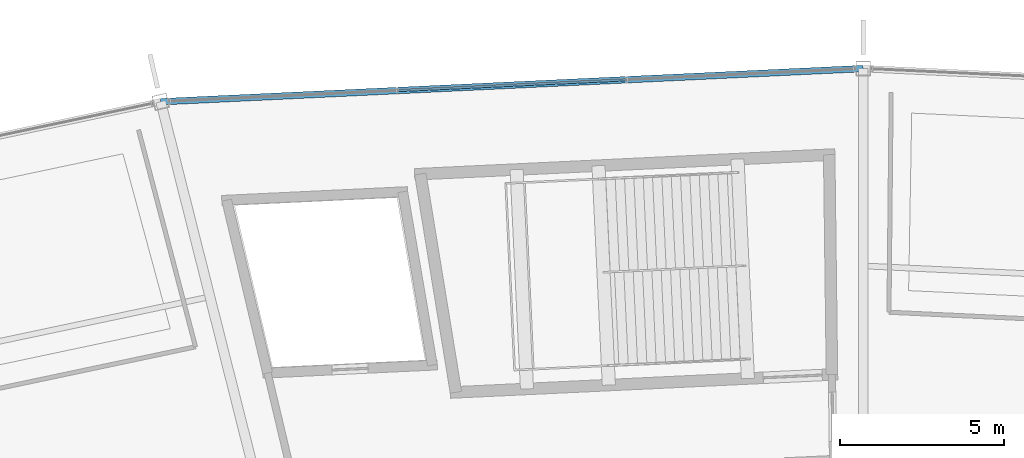
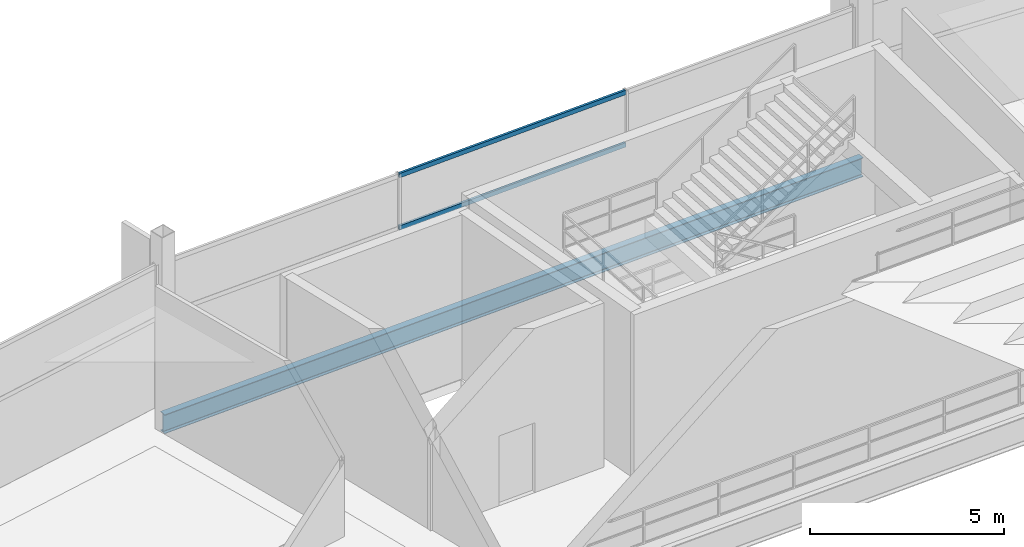
# One storey, part 99 of 186: 2 members, 1 beam, 1 element without a shape of its own.
"""IFC4 building model written with IfcOpenShell, lengths in metres."""

from ifc_helpers import new_model, si_unit, direction, frame, origin, origin_2d, place, context, subcontext, project, spatial, hollow_rectangle, i_section, extrude, material, layer, layer_set, material_profile, profile_set, type_object, element, aggregate, save


model = new_model("IFC4")

# Units and contexts
model_context = context("Model", 3, precision=1e-05, world=origin(), true_north=direction((0.0, 1.0)))
body_context = subcontext(model_context, "Body", "Model", "MODEL_VIEW")
ifc_project = project(units=[si_unit("LENGTHUNIT", "METRE"), si_unit("AREAUNIT", "SQUARE_METRE"), si_unit("VOLUMEUNIT", "CUBIC_METRE"), si_unit("PLANEANGLEUNIT", "RADIAN"), si_unit("MASSUNIT", "GRAM", prefix="KILO")], contexts=[model_context])

# Site, building, storey
site_placement = place(None, origin())
site = spatial("IfcSite", under=ifc_project, at=site_placement, CompositionType="ELEMENT")
building_placement = place(site_placement, origin())
building = spatial("IfcBuilding", under=site, at=building_placement, Name="Kazemori Nagisa Stadium", CompositionType="ELEMENT")
storey_placement = place(building_placement, frame((0.0, 0.0, 20.39990234375)))
storey = spatial("IfcBuildingStorey", under=building, at=storey_placement, Name="L04", CompositionType="ELEMENT", Elevation=20.39990234375)

# Beam
ifc_material_1 = material(Name="Steel SN490B", Category="steel")
ifc_material_profile_1 = material_profile(ifc_material_1, i_section(OverallWidth=0.199951171875, OverallDepth=0.60009765625, WebThickness=0.010986328125, FlangeThickness=0.01708984375, FilletRadius=0.012939453125, at=origin_2d()), Name="H-600x200x11x17")
ifc_profile_set_1 = profile_set([ifc_material_profile_1], Name="Steel SN490B")
beam_type = type_object("IfcBeamType", Name="Beam_BS-H600", PredefinedType="SPANDREL", material=ifc_profile_set_1)
beam_placement = place(storey_placement, frame((123.0, 188.0, -0.599853515625), z_axis=(-0.998883994571, -0.047230979144, 0.0), x_axis=(0.047230979144, -0.998883994571, 0.0)))
element("IfcBeam", 1, at=beam_placement, inside=storey, type_object=beam_type, Name="Ring girder BS-H600 L04 R3-08", PredefinedType="SPANDREL", context=body_context, shape_type="SweptSolid", body=[
    extrude(i_section(OverallWidth=0.199951171875, OverallDepth=0.60009765625, WebThickness=0.010986328125, FlangeThickness=0.01708984375, FilletRadius=0.012939453125, at=origin_2d()), origin(), (0.0, 0.0, 1.0), 21.45166015625),
])

# Curtain wall, members
ifc_material_2 = material(Name="Anodised aluminium 6063-T5", Category="aluminium")
ifc_layer = layer(ifc_material_2, 0.179931640625, Name="Anodised aluminium 6063-T5", Category="aluminium")
ifc_layer_set = layer_set([ifc_layer], Name="Anodised aluminium 6063-T5")
curtain_wall_type = type_object("IfcCurtainWallType", Name="CW_L04R3_105", PredefinedType="USERDEFINED", material=ifc_layer_set)
curtain_wall_placement = place(storey_placement, origin())
curtain_wall = element("IfcCurtainWall", 2, at=curtain_wall_placement, inside=storey, type_object=curtain_wall_type, Name="Unitised curtain wall CW-L04R3-105 L04", ObjectType="UNITISED CURTAIN WALL", PredefinedType="USERDEFINED")
ifc_material_3 = material(Name="Aluminium 6063-T5 anodised", Category="aluminium")
ifc_material_profile_2 = material_profile(ifc_material_3, hollow_rectangle(XDim=0.070068359375, YDim=0.139892578125, WallThickness=0.00390625, at=origin_2d()), Name="ALU-TRAN-70x140x4")
ifc_profile_set_2 = profile_set([ifc_material_profile_2], Name="Aluminium 6063-T5 anodised")
member_type = type_object("IfcMemberType", Name="Transom_T01", PredefinedType="USERDEFINED", material=ifc_profile_set_2)
member_1_placement = place(storey_placement, frame((115.75244140625, 187.6572265625, 2.80859375), z_axis=(-0.998885105073, -0.047207487358, 0.0), x_axis=(0.047207487358, -0.998885105073, 0.0)))
member_1 = element("IfcMember", 3, at=member_1_placement, type_object=member_type, Name="Curtain wall transom CW-L04R3-105-T2-mid", ObjectType="TRANSOM", PredefinedType="USERDEFINED", context=body_context, shape_type="SweptSolid", body=[
    extrude(hollow_rectangle(XDim=0.070068359375, YDim=0.139892578125, WallThickness=0.00390625, at=origin_2d()), origin(), (0.0, 0.0, 1.0), 6.9404296875),
])
member_2_placement = place(storey_placement, frame((115.75244140625, 187.6572265625, 4.460205078125), z_axis=(-0.998885105073, -0.047207487358, 0.0), x_axis=(0.047207487358, -0.998885105073, 0.0)))
member_2 = element("IfcMember", 4, at=member_2_placement, type_object=member_type, Name="Curtain wall transom CW-L04R3-105-T2-head", ObjectType="TRANSOM", PredefinedType="USERDEFINED", context=body_context, shape_type="SweptSolid", body=[
    extrude(hollow_rectangle(XDim=0.070068359375, YDim=0.139892578125, WallThickness=0.00390625, at=origin_2d()), origin(), (0.0, 0.0, 1.0), 6.9404296875),
])
aggregate(curtain_wall, [member_1, member_2])

save(model, "model.ifc")
